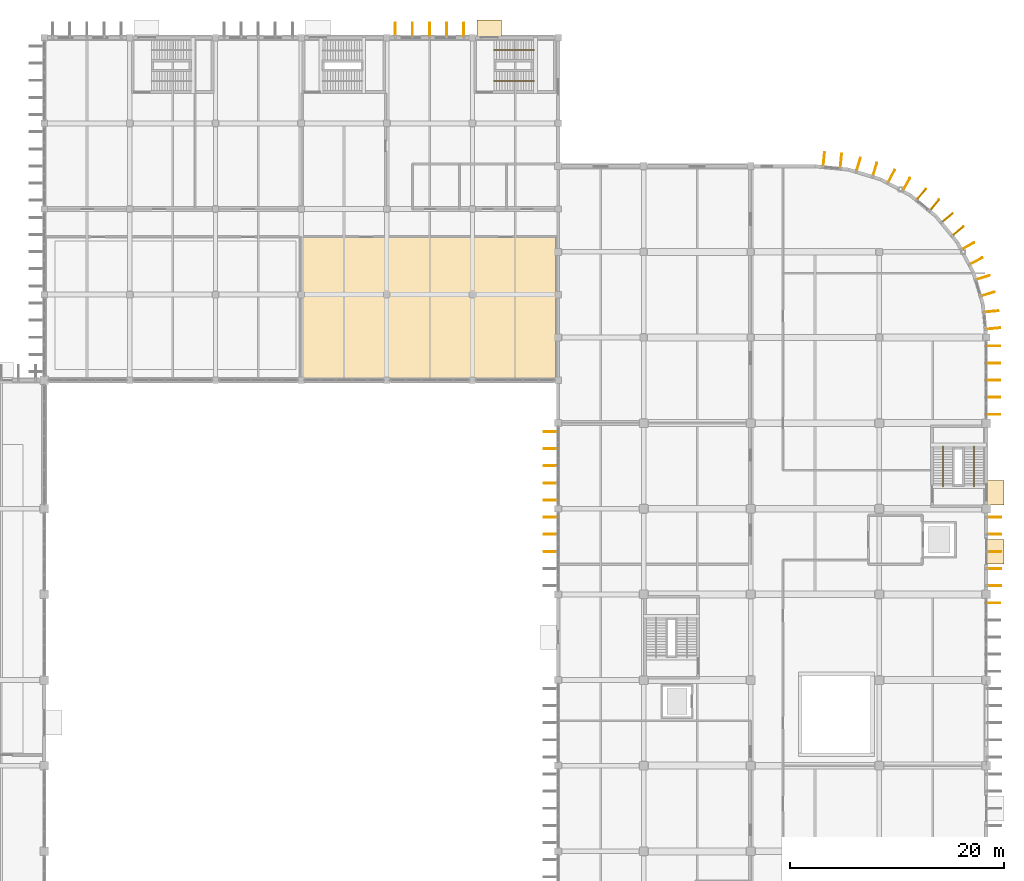
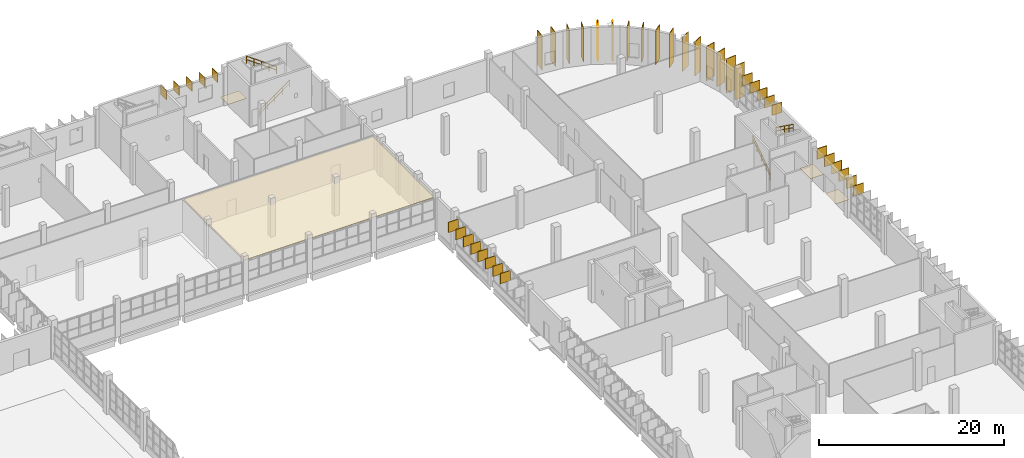
# One storey, part 102 of 103: 44 coverings, 40 shading devices, 4 railings.
"""IFC4 building model written with IfcOpenShell, lengths in metres."""

from ifc_helpers import new_model, si_unit, direction, frame, origin, origin_2d, place, context, subcontext, project, spatial, polyline, rectangle, circle, outline, extrude, material, layer, layer_set, type_object, element, save


model = new_model("IFC4")

# Units and contexts
model_context = context("Model", 3, precision=1e-05, world=origin(), true_north=direction((0.0, 1.0)))
body_context = subcontext(model_context, "Body", "Model", "MODEL_VIEW")
ifc_project = project(units=[si_unit("LENGTHUNIT", "METRE"), si_unit("AREAUNIT", "SQUARE_METRE"), si_unit("VOLUMEUNIT", "CUBIC_METRE"), si_unit("PLANEANGLEUNIT", "RADIAN"), si_unit("MASSUNIT", "GRAM", prefix="KILO")], contexts=[model_context])

# Site, building, storey
site_placement = place(None, origin())
site = spatial("IfcSite", under=ifc_project, at=site_placement, CompositionType="ELEMENT")
building_placement = place(site_placement, origin())
building = spatial("IfcBuilding", under=site, at=building_placement, Name="Drelvana Railside Aquatics Centre", CompositionType="ELEMENT")
storey_placement = place(building_placement, origin())
storey = spatial("IfcBuildingStorey", under=building, at=storey_placement, Name="L00", CompositionType="ELEMENT", Elevation=0.0)

# Coverings
ifc_material_1 = material(Name="Moisture-resistant perforated acoustic timber ceiling", Category="wood")
ifc_layer_1 = layer(ifc_material_1, 0.034912109375, Name="Moisture-resistant perforated acoustic timber ceiling")
ifc_layer_set_1 = layer_set([ifc_layer_1], Name="Moisture-resistant perforated acoustic timber ceiling")
covering_type_1 = type_object("IfcCoveringType", Name="COV-CEIL-ACOUSTIC", PredefinedType="CEILING", material=ifc_layer_set_1)
covering_1_placement = place(storey_placement, frame((0.0, 0.0, 4.199951171875)))
element("IfcCovering", 1, at=covering_1_placement, inside=storey, type_object=covering_type_1, Name="Team Changing moisture-resistant ceiling", PredefinedType="CEILING", context=body_context, shape_type="SweptSolid", body=[
    extrude(outline(polyline([(120.0, 84.199951171875), (143.800048828125, 84.199951171875), (143.800048828125, 97.39990234375), (120.0, 97.39990234375), (120.0, 84.199951171875)])), origin(), (0.0, 0.0, 1.0), 0.03515625),
])
ifc_material_2 = material(Name="Catalan trencadis polychrome ceramic mosaic cladding", Category="masonry")
ifc_layer_2 = layer(ifc_material_2, 0.044921875, Name="Catalan trencadis polychrome ceramic mosaic cladding")
ifc_layer_set_2 = layer_set([ifc_layer_2], Name="Catalan trencadis polychrome ceramic mosaic cladding")
covering_type_2 = type_object("IfcCoveringType", Name="COV-CLAD-TRENCADIS", PredefinedType="CLADDING", material=ifc_layer_set_2)
covering_2_placement = place(storey_placement, frame((0.0, 0.0, -0.2548828125)))
element("IfcCovering", 2, at=covering_2_placement, inside=storey, type_object=covering_type_2, Name="Threshold apron bedding trim 017", PredefinedType="CLADDING", context=body_context, shape_type="SweptSolid", body=[
    extrude(outline(polyline([(136.425048828125, 116.0048828125), (138.72509765625, 116.0048828125), (138.72509765625, 117.655029296875), (136.425048828125, 117.655029296875), (136.425048828125, 116.0048828125)])), origin(), (0.0, 0.0, 1.0), 0.044921875),
])
covering_3_placement = place(storey_placement, frame((0.0, 0.0, -0.2548828125)))
element("IfcCovering", 3, at=covering_3_placement, inside=storey, type_object=covering_type_2, Name="Threshold apron bedding trim 025", PredefinedType="CLADDING", context=body_context, shape_type="SweptSolid", body=[
    extrude(outline(polyline([(184.0048828125, 66.85009765625), (185.655029296875, 66.85009765625), (185.655029296875, 69.14990234375), (184.0048828125, 69.14990234375), (184.0048828125, 66.85009765625)])), origin(), (0.0, 0.0, 1.0), 0.044921875),
])
covering_4_placement = place(storey_placement, frame((0.0, 0.0, -0.2548828125)))
element("IfcCovering", 4, at=covering_4_placement, inside=storey, type_object=covering_type_2, Name="Threshold apron bedding trim 026", PredefinedType="CLADDING", context=body_context, shape_type="SweptSolid", body=[
    extrude(outline(polyline([(184.0048828125, 72.35498046875), (185.655029296875, 72.35498046875), (185.655029296875, 74.655029296875), (184.0048828125, 74.655029296875), (184.0048828125, 72.35498046875)])), origin(), (0.0, 0.0, 1.0), 0.044921875),
])
ifc_material_3 = material(Name="Bronze-anodised extruded aluminium 6063-T6", Category="aluminium")
covering_type_3 = type_object("IfcCoveringType", Name="COV-FIN-ALU", PredefinedType="CLADDING", material=ifc_material_3)
for number, where, z_axis, x_axis, name in (
    (5, (128.800048828125, 116.7451171875, 3.0), (0.0, 0.0, 1.0), (1.0, 0.0, 0.0), "Vertical aluminium fin cladding CF-0486"),
    (6, (130.39990234375, 116.7451171875, 3.0), (0.0, 0.0, 1.0), (1.0, 0.0, 0.0), "Vertical aluminium fin cladding CF-0487"),
    (7, (132.0, 116.7451171875, 3.0), (0.0, 0.0, 1.0), (1.0, 0.0, 0.0), "Vertical aluminium fin cladding CF-0488"),
    (8, (133.60009765625, 116.7451171875, 3.0), (0.0, 0.0, 1.0), (1.0, 0.0, 0.0), "Vertical aluminium fin cladding CF-0489"),
    (9, (135.199951171875, 116.7451171875, 3.0), (0.0, 0.0, 1.0), (1.0, 0.0, 0.0), "Vertical aluminium fin cladding CF-0490"),
):
    element("IfcCovering", number, at=place(storey_placement, frame(where, z_axis=z_axis, x_axis=x_axis)), inside=storey, type_object=covering_type_3, Name=name, PredefinedType="CLADDING", context=body_context, shape_type="SweptSolid", body=[
        extrude(rectangle(XDim=0.0849609375, YDim=1.25, at=origin_2d()), origin(), (0.0, 0.0, 1.0), 1.199951171875),
    ])
for number, where, z_axis, x_axis, name in (
    (10, (143.330078125, 68.0, 3.0), (0.0, 0.0, 1.0), (0.0, 1.0, 0.0), "Vertical aluminium fin cladding CF-0638"),
    (11, (143.330078125, 69.60009765625, 3.0), (0.0, 0.0, 1.0), (0.0, 1.0, 0.0), "Vertical aluminium fin cladding CF-0639"),
    (12, (143.330078125, 71.199951171875, 3.0), (0.0, 0.0, 1.0), (0.0, 1.0, 0.0), "Vertical aluminium fin cladding CF-0640"),
    (13, (143.330078125, 72.800048828125, 3.0), (0.0, 0.0, 1.0), (0.0, 1.0, 0.0), "Vertical aluminium fin cladding CF-0656"),
    (14, (143.330078125, 74.39990234375, 3.0), (0.0, 0.0, 1.0), (0.0, 1.0, 0.0), "Vertical aluminium fin cladding CF-0657"),
    (15, (143.330078125, 76.0, 3.0), (0.0, 0.0, 1.0), (0.0, 1.0, 0.0), "Vertical aluminium fin cladding CF-0658"),
    (16, (143.330078125, 77.60009765625, 3.0), (0.0, 0.0, 1.0), (0.0, 1.0, 0.0), "Vertical aluminium fin cladding CF-0659"),
    (17, (143.330078125, 79.199951171875, 3.0), (0.0, 0.0, 1.0), (0.0, 1.0, 0.0), "Vertical aluminium fin cladding CF-0660"),
    (18, (184.669921875, 63.199951171875, 3.0), (0.0, 0.0, 1.0), (0.0, -1.0, 0.0), "Vertical aluminium fin cladding CF-0755"),
):
    element("IfcCovering", number, at=place(storey_placement, frame(where, z_axis=z_axis, x_axis=x_axis)), inside=storey, type_object=covering_type_3, Name=name, PredefinedType="CLADDING", context=body_context, shape_type="SweptSolid", body=[
        extrude(rectangle(XDim=0.0849609375, YDim=1.25, at=origin_2d()), origin(), (0.0, 0.0, 1.0), 1.35009765625),
    ])
for number, where, z_axis, x_axis, name in (
    (19, (184.7451171875, 64.800048828125, 3.0), (0.0, 0.0, 1.0), (0.0, -1.0, 0.0), "Vertical aluminium fin cladding CF-0776"),
    (20, (184.7451171875, 66.39990234375, 3.0), (0.0, 0.0, 1.0), (0.0, -1.0, 0.0), "Vertical aluminium fin cladding CF-0777"),
    (21, (184.7451171875, 68.0, 3.0), (0.0, 0.0, 1.0), (0.0, -1.0, 0.0), "Vertical aluminium fin cladding CF-0778"),
    (22, (184.7451171875, 69.60009765625, 3.0), (0.0, 0.0, 1.0), (0.0, -1.0, 0.0), "Vertical aluminium fin cladding CF-0779"),
    (23, (184.7451171875, 71.199951171875, 3.0), (0.0, 0.0, 1.0), (0.0, -1.0, 0.0), "Vertical aluminium fin cladding CF-0780"),
):
    element("IfcCovering", number, at=place(storey_placement, frame(where, z_axis=z_axis, x_axis=x_axis)), inside=storey, type_object=covering_type_3, Name=name, PredefinedType="CLADDING", context=body_context, shape_type="SweptSolid", body=[
        extrude(rectangle(XDim=0.0849609375, YDim=1.25, at=origin_2d()), origin(), (0.0, 0.0, 1.0), 1.39990234375),
    ])
for number, where, z_axis, x_axis, name in (
    (24, (184.669921875, 80.800048828125, 3.0), (0.0, 0.0, 1.0), (0.0, -1.0, 0.0), "Vertical aluminium fin cladding CF-0801"),
    (25, (184.669921875, 82.39990234375, 3.0), (0.0, 0.0, 1.0), (0.0, -1.0, 0.0), "Vertical aluminium fin cladding CF-0802"),
    (26, (184.669921875, 84.0, 3.0), (0.0, 0.0, 1.0), (0.0, -1.0, 0.0), "Vertical aluminium fin cladding CF-0803"),
    (27, (184.669921875, 85.60009765625, 3.0), (0.0, 0.0, 1.0), (0.0, -1.0, 0.0), "Vertical aluminium fin cladding CF-0804"),
    (28, (184.669921875, 87.199951171875, 3.0), (0.0, 0.0, 1.0), (0.0, -1.0, 0.0), "Vertical aluminium fin cladding CF-0805"),
):
    element("IfcCovering", number, at=place(storey_placement, frame(where, z_axis=z_axis, x_axis=x_axis)), inside=storey, type_object=covering_type_3, Name=name, PredefinedType="CLADDING", context=body_context, shape_type="SweptSolid", body=[
        extrude(rectangle(XDim=0.0849609375, YDim=1.25, at=origin_2d()), origin(), (0.0, 0.0, 1.0), 1.35009765625),
    ])
for number, where, z_axis, x_axis, name in (
    (29, (184.65625, 88.836669921875, 0.25), (0.0, 0.0, 1.0), (0.09801714033, -0.995184726672, 0.0), "Vertical aluminium fin cladding CF-0869"),
    (30, (184.499267578125, 90.428955078125, 0.25), (0.0, 0.0, 1.0), (0.09801714033, -0.995184726672, 0.0), "Vertical aluminium fin cladding CF-0870"),
    (31, (184.1728515625, 92.070068359375, 0.25), (0.0, 0.0, 1.0), (0.290284677254, -0.956940335732, 0.0), "Vertical aluminium fin cladding CF-0873"),
    (32, (183.70849609375, 93.60107421875, 0.25), (0.0, 0.0, 1.0), (0.290284677254, -0.956940335732, 0.0), "Vertical aluminium fin cladding CF-0874"),
    (33, (183.068115234375, 95.14697265625, 0.25), (0.0, 0.0, 1.0), (0.471396736826, -0.881921264348, 0.0), "Vertical aluminium fin cladding CF-0877"),
    (34, (182.31396484375, 96.55810546875, 0.25), (0.0, 0.0, 1.0), (0.471396736826, -0.881921264348, 0.0), "Vertical aluminium fin cladding CF-0878"),
    (35, (181.38427734375, 97.94921875, 0.25), (0.0, 0.0, 1.0), (0.634393284164, -0.773010453363, 0.0), "Vertical aluminium fin cladding CF-0881"),
    (36, (180.369384765625, 99.18603515625, 0.25), (0.0, 0.0, 1.0), (0.634393284164, -0.773010453363, 0.0), "Vertical aluminium fin cladding CF-0882"),
    (37, (179.18603515625, 100.369384765625, 0.25), (0.0, 0.0, 1.0), (0.773010453363, -0.634393284164, 0.0), "Vertical aluminium fin cladding CF-0885"),
    (38, (177.94921875, 101.38427734375, 0.25), (0.0, 0.0, 1.0), (0.773010453363, -0.634393284164, 0.0), "Vertical aluminium fin cladding CF-0886"),
    (39, (176.55810546875, 102.31396484375, 0.25), (0.0, 0.0, 1.0), (0.881921264348, -0.471396736826, 0.0), "Vertical aluminium fin cladding CF-0889"),
    (40, (175.14697265625, 103.068115234375, 0.25), (0.0, 0.0, 1.0), (0.881921264348, -0.471396736826, 0.0), "Vertical aluminium fin cladding CF-0890"),
    (41, (173.60107421875, 103.70849609375, 0.25), (0.0, 0.0, 1.0), (0.956940335732, -0.290284677254, 0.0), "Vertical aluminium fin cladding CF-0893"),
    (42, (172.070068359375, 104.1728515625, 0.25), (0.0, 0.0, 1.0), (0.956940335732, -0.290284677254, 0.0), "Vertical aluminium fin cladding CF-0894"),
    (43, (170.428955078125, 104.499267578125, 0.25), (0.0, 0.0, 1.0), (0.995184726672, -0.09801714033, 0.0), "Vertical aluminium fin cladding CF-0897"),
    (44, (168.836669921875, 104.65625, 0.25), (0.0, 0.0, 1.0), (0.995184726672, -0.09801714033, 0.0), "Vertical aluminium fin cladding CF-0898"),
):
    element("IfcCovering", number, at=place(storey_placement, frame(where, z_axis=z_axis, x_axis=x_axis)), inside=storey, type_object=covering_type_3, Name=name, PredefinedType="CLADDING", context=body_context, shape_type="SweptSolid", body=[
        extrude(rectangle(XDim=0.0849609375, YDim=1.25, at=origin_2d()), origin(), (0.0, 0.0, 1.0), 4.5),
    ])

# Railings
ifc_material_4 = material(Name="Brushed stainless steel stair pitch handrail", Category="steel")
railing_type = type_object("IfcRailingType", Name="RAL-HANDRAIL-950", PredefinedType="HANDRAIL", material=ifc_material_4)
railing_1_placement = place(storey_placement, frame((179.949951171875, 74.090087890625, 0.0)))
element("IfcRailing", 45, at=railing_1_placement, inside=storey, type_object=railing_type, Name="Stair ST-07 flight 1 handrail (L00)", PredefinedType="HANDRAIL", context=body_context, shape_type="SweptSolid", body=[
    extrude(circle(Radius=0.02392578125, at=origin_2d()), frame((0.0, 0.0, 0.92578125), z_axis=(0.0, 0.811539352079, 0.584297766578), x_axis=(-1.0, 0.0, 0.0)), (0.0, 0.0, 1.0), 4.620849609375),
    extrude(circle(Radius=0.02392578125, at=origin_2d()), frame((0.0, 0.0, 0.47509765625), z_axis=(0.0, 0.811539352079, 0.584297766578), x_axis=(-1.0, 0.0, 0.0)), (0.0, 0.0, 1.0), 4.620849609375),
    extrude(circle(Radius=0.02099609375, at=origin_2d()), origin(), (0.0, 0.0, 1.0), 0.90185546875),
    extrude(circle(Radius=0.02099609375, at=origin_2d()), frame((0.0, 0.9375, 0.675048828125)), (0.0, 0.0, 1.0), 0.90185546875),
    extrude(circle(Radius=0.02099609375, at=origin_2d()), frame((0.0, 1.875, 1.35009765625)), (0.0, 0.0, 1.0), 0.90185546875),
    extrude(circle(Radius=0.02099609375, at=origin_2d()), frame((0.0, 2.8125, 2.02490234375)), (0.0, 0.0, 1.0), 0.90185546875),
    extrude(circle(Radius=0.02099609375, at=origin_2d()), frame((0.0, 3.75, 2.699951171875)), (0.0, 0.0, 1.0), 0.90185546875),
])
railing_2_placement = place(storey_placement, frame((182.85009765625, 77.840087890625, 2.699951171875)))
element("IfcRailing", 46, at=railing_2_placement, inside=storey, type_object=railing_type, Name="Stair ST-07 flight 2 handrail (L00)", PredefinedType="HANDRAIL", context=body_context, shape_type="SweptSolid", body=[
    extrude(circle(Radius=0.02392578125, at=origin_2d()), frame((0.0, 0.0, 0.92578125), z_axis=(0.0, -0.811539352079, 0.584297766578), x_axis=(1.0, 0.0, 0.0)), (0.0, 0.0, 1.0), 4.620849609375),
    extrude(circle(Radius=0.02392578125, at=origin_2d()), frame((0.0, 0.0, 0.47509765625), z_axis=(0.0, -0.811539352079, 0.584297766578), x_axis=(1.0, 0.0, 0.0)), (0.0, 0.0, 1.0), 4.620849609375),
    extrude(circle(Radius=0.02099609375, at=origin_2d()), origin(), (0.0, 0.0, 1.0), 0.90185546875),
    extrude(circle(Radius=0.02099609375, at=origin_2d()), frame((0.0, -0.9375, 0.675048828125)), (0.0, 0.0, 1.0), 0.90185546875),
    extrude(circle(Radius=0.02099609375, at=origin_2d()), frame((0.0, -1.875, 1.35009765625)), (0.0, 0.0, 1.0), 0.90185546875),
    extrude(circle(Radius=0.02099609375, at=origin_2d()), frame((0.0, -2.8125, 2.02490234375)), (0.0, 0.0, 1.0), 0.90185546875),
    extrude(circle(Radius=0.02099609375, at=origin_2d()), frame((0.0, -3.75, 2.699951171875)), (0.0, 0.0, 1.0), 0.90185546875),
])
railing_3_placement = place(storey_placement, frame((138.02001953125, 111.949951171875, 0.0)))
element("IfcRailing", 47, at=railing_3_placement, inside=storey, type_object=railing_type, Name="Stair ST-12 flight 1 handrail (L00)", PredefinedType="HANDRAIL", context=body_context, shape_type="SweptSolid", body=[
    extrude(circle(Radius=0.02392578125, at=origin_2d()), frame((0.0, 0.0, 0.92578125), z_axis=(0.811539352079, 0.0, 0.584297766578), x_axis=(0.0, 1.0, 0.0)), (0.0, 0.0, 1.0), 4.620849609375),
    extrude(circle(Radius=0.02392578125, at=origin_2d()), frame((0.0, 0.0, 0.47509765625), z_axis=(0.811539352079, 0.0, 0.584297766578), x_axis=(0.0, 1.0, 0.0)), (0.0, 0.0, 1.0), 4.620849609375),
    extrude(circle(Radius=0.02099609375, at=origin_2d()), origin(), (0.0, 0.0, 1.0), 0.90185546875),
    extrude(circle(Radius=0.02099609375, at=origin_2d()), frame((0.9375, 0.0, 0.675048828125)), (0.0, 0.0, 1.0), 0.90185546875),
    extrude(circle(Radius=0.02099609375, at=origin_2d()), frame((1.875, 0.0, 1.35009765625)), (0.0, 0.0, 1.0), 0.90185546875),
    extrude(circle(Radius=0.02099609375, at=origin_2d()), frame((2.8125, 0.0, 2.02490234375)), (0.0, 0.0, 1.0), 0.90185546875),
    extrude(circle(Radius=0.02099609375, at=origin_2d()), frame((3.75, 0.0, 2.699951171875)), (0.0, 0.0, 1.0), 0.90185546875),
])
railing_4_placement = place(storey_placement, frame((141.77001953125, 114.85009765625, 2.699951171875)))
element("IfcRailing", 48, at=railing_4_placement, inside=storey, type_object=railing_type, Name="Stair ST-12 flight 2 handrail (L00)", PredefinedType="HANDRAIL", context=body_context, shape_type="SweptSolid", body=[
    extrude(circle(Radius=0.02392578125, at=origin_2d()), frame((0.0, 0.0, 0.92578125), z_axis=(-0.811539352079, 0.0, 0.584297766578), x_axis=(0.0, -1.0, 0.0)), (0.0, 0.0, 1.0), 4.620849609375),
    extrude(circle(Radius=0.02392578125, at=origin_2d()), frame((0.0, 0.0, 0.47509765625), z_axis=(-0.811539352079, 0.0, 0.584297766578), x_axis=(0.0, -1.0, 0.0)), (0.0, 0.0, 1.0), 4.620849609375),
    extrude(circle(Radius=0.02099609375, at=origin_2d()), origin(), (0.0, 0.0, 1.0), 0.90185546875),
    extrude(circle(Radius=0.02099609375, at=origin_2d()), frame((-0.9375, 0.0, 0.675048828125)), (0.0, 0.0, 1.0), 0.90185546875),
    extrude(circle(Radius=0.02099609375, at=origin_2d()), frame((-1.875, 0.0, 1.35009765625)), (0.0, 0.0, 1.0), 0.90185546875),
    extrude(circle(Radius=0.02099609375, at=origin_2d()), frame((-2.8125, 0.0, 2.02490234375)), (0.0, 0.0, 1.0), 0.90185546875),
    extrude(circle(Radius=0.02099609375, at=origin_2d()), frame((-3.75, 0.0, 2.699951171875)), (0.0, 0.0, 1.0), 0.90185546875),
])

# Shading devices
shading_device_type = type_object("IfcShadingDeviceType", Name="SHD-FIN-1250", PredefinedType="USERDEFINED", material=ifc_material_3)
for number, where, z_axis, x_axis, name in (
    (49, (128.800048828125, 116.764892578125, 3.0), (0.0, 0.0, 1.0), (0.0, 1.0, 0.0), "Vertical bronze shading fin FN-0493"),
    (50, (130.39990234375, 116.764892578125, 3.0), (0.0, 0.0, 1.0), (0.0, 1.0, 0.0), "Vertical bronze shading fin FN-0494"),
    (51, (132.0, 116.764892578125, 3.0), (0.0, 0.0, 1.0), (0.0, 1.0, 0.0), "Vertical bronze shading fin FN-0495"),
    (52, (133.60009765625, 116.764892578125, 3.0), (0.0, 0.0, 1.0), (0.0, 1.0, 0.0), "Vertical bronze shading fin FN-0496"),
    (53, (135.199951171875, 116.764892578125, 3.0), (0.0, 0.0, 1.0), (0.0, 1.0, 0.0), "Vertical bronze shading fin FN-0497"),
):
    element("IfcShadingDevice", number, at=place(storey_placement, frame(where, z_axis=z_axis, x_axis=x_axis)), inside=storey, type_object=shading_device_type, Name=name, ObjectType="FIN", PredefinedType="USERDEFINED", context=body_context, shape_type="SweptSolid", body=[
        extrude(rectangle(XDim=1.25, YDim=0.06494140625, at=origin_2d()), origin(), (0.0, 0.0, 1.0), 1.199951171875),
    ])
for number, where, z_axis, x_axis, name in (
    (54, (143.31005859375, 68.0, 3.0), (0.0, 0.0, 1.0), (-1.0, 0.0, 0.0), "Vertical bronze shading fin FN-0645"),
    (55, (143.31005859375, 69.60009765625, 3.0), (0.0, 0.0, 1.0), (-1.0, 0.0, 0.0), "Vertical bronze shading fin FN-0646"),
    (56, (143.31005859375, 71.199951171875, 3.0), (0.0, 0.0, 1.0), (-1.0, 0.0, 0.0), "Vertical bronze shading fin FN-0647"),
    (57, (143.31005859375, 72.800048828125, 3.0), (0.0, 0.0, 1.0), (-1.0, 0.0, 0.0), "Vertical bronze shading fin FN-0663"),
    (58, (143.31005859375, 74.39990234375, 3.0), (0.0, 0.0, 1.0), (-1.0, 0.0, 0.0), "Vertical bronze shading fin FN-0664"),
    (59, (143.31005859375, 76.0, 3.0), (0.0, 0.0, 1.0), (-1.0, 0.0, 0.0), "Vertical bronze shading fin FN-0665"),
    (60, (143.31005859375, 77.60009765625, 3.0), (0.0, 0.0, 1.0), (-1.0, 0.0, 0.0), "Vertical bronze shading fin FN-0666"),
    (61, (143.31005859375, 79.199951171875, 3.0), (0.0, 0.0, 1.0), (-1.0, 0.0, 0.0), "Vertical bronze shading fin FN-0667"),
    (62, (184.68994140625, 63.199951171875, 3.0), (0.0, 0.0, 1.0), (1.0, 0.0, 0.0), "Vertical bronze shading fin FN-0762"),
):
    element("IfcShadingDevice", number, at=place(storey_placement, frame(where, z_axis=z_axis, x_axis=x_axis)), inside=storey, type_object=shading_device_type, Name=name, ObjectType="FIN", PredefinedType="USERDEFINED", context=body_context, shape_type="SweptSolid", body=[
        extrude(rectangle(XDim=1.25, YDim=0.06494140625, at=origin_2d()), origin(), (0.0, 0.0, 1.0), 1.35009765625),
    ])
for number, where, z_axis, x_axis, name in (
    (63, (184.764892578125, 64.800048828125, 3.0), (0.0, 0.0, 1.0), (1.0, 0.0, 0.0), "Vertical bronze shading fin FN-0783"),
    (64, (184.764892578125, 66.39990234375, 3.0), (0.0, 0.0, 1.0), (1.0, 0.0, 0.0), "Vertical bronze shading fin FN-0784"),
    (65, (184.764892578125, 68.0, 3.0), (0.0, 0.0, 1.0), (1.0, 0.0, 0.0), "Vertical bronze shading fin FN-0785"),
    (66, (184.764892578125, 69.60009765625, 3.0), (0.0, 0.0, 1.0), (1.0, 0.0, 0.0), "Vertical bronze shading fin FN-0786"),
    (67, (184.764892578125, 71.199951171875, 3.0), (0.0, 0.0, 1.0), (1.0, 0.0, 0.0), "Vertical bronze shading fin FN-0787"),
):
    element("IfcShadingDevice", number, at=place(storey_placement, frame(where, z_axis=z_axis, x_axis=x_axis)), inside=storey, type_object=shading_device_type, Name=name, ObjectType="FIN", PredefinedType="USERDEFINED", context=body_context, shape_type="SweptSolid", body=[
        extrude(rectangle(XDim=1.25, YDim=0.06494140625, at=origin_2d()), origin(), (0.0, 0.0, 1.0), 1.39990234375),
    ])
for number, where, z_axis, x_axis, name in (
    (68, (184.68994140625, 80.800048828125, 3.0), (0.0, 0.0, 1.0), (1.0, 0.0, 0.0), "Vertical bronze shading fin FN-0808"),
    (69, (184.68994140625, 82.39990234375, 3.0), (0.0, 0.0, 1.0), (1.0, 0.0, 0.0), "Vertical bronze shading fin FN-0809"),
    (70, (184.68994140625, 84.0, 3.0), (0.0, 0.0, 1.0), (1.0, 0.0, 0.0), "Vertical bronze shading fin FN-0810"),
    (71, (184.68994140625, 85.60009765625, 3.0), (0.0, 0.0, 1.0), (1.0, 0.0, 0.0), "Vertical bronze shading fin FN-0811"),
    (72, (184.68994140625, 87.199951171875, 3.0), (0.0, 0.0, 1.0), (1.0, 0.0, 0.0), "Vertical bronze shading fin FN-0812"),
):
    element("IfcShadingDevice", number, at=place(storey_placement, frame(where, z_axis=z_axis, x_axis=x_axis)), inside=storey, type_object=shading_device_type, Name=name, ObjectType="FIN", PredefinedType="USERDEFINED", context=body_context, shape_type="SweptSolid", body=[
        extrude(rectangle(XDim=1.25, YDim=0.06494140625, at=origin_2d()), origin(), (0.0, 0.0, 1.0), 1.35009765625),
    ])
for number, where, z_axis, x_axis, name in (
    (73, (184.676025390625, 88.838623046875, 0.25), (0.0, 0.0, 1.0), (0.995184726672, 0.09801714033, 0.0), "Vertical bronze shading fin FN-0876"),
    (74, (184.519287109375, 90.430908203125, 0.25), (0.0, 0.0, 1.0), (0.995184726672, 0.09801714033, 0.0), "Vertical bronze shading fin FN-0877"),
    (75, (184.19189453125, 92.07568359375, 0.25), (0.0, 0.0, 1.0), (0.956940335732, 0.290284677254, 0.0), "Vertical bronze shading fin FN-0880"),
    (76, (183.7275390625, 93.60693359375, 0.25), (0.0, 0.0, 1.0), (0.956940335732, 0.290284677254, 0.0), "Vertical bronze shading fin FN-0881"),
    (77, (183.085693359375, 95.156494140625, 0.25), (0.0, 0.0, 1.0), (0.881921264348, 0.471396736826, 0.0), "Vertical bronze shading fin FN-0884"),
    (78, (182.33154296875, 96.5673828125, 0.25), (0.0, 0.0, 1.0), (0.881921264348, 0.471396736826, 0.0), "Vertical bronze shading fin FN-0885"),
    (79, (181.399658203125, 97.9619140625, 0.25), (0.0, 0.0, 1.0), (0.773010453363, 0.634393284164, 0.0), "Vertical bronze shading fin FN-0888"),
    (80, (180.384765625, 99.19873046875, 0.25), (0.0, 0.0, 1.0), (0.773010453363, 0.634393284164, 0.0), "Vertical bronze shading fin FN-0889"),
    (81, (179.19873046875, 100.384765625, 0.25), (0.0, 0.0, 1.0), (0.634393284164, 0.773010453363, 0.0), "Vertical bronze shading fin FN-0892"),
    (82, (177.9619140625, 101.399658203125, 0.25), (0.0, 0.0, 1.0), (0.634393284164, 0.773010453363, 0.0), "Vertical bronze shading fin FN-0893"),
    (83, (176.5673828125, 102.33154296875, 0.25), (0.0, 0.0, 1.0), (0.471396736826, 0.881921264348, 0.0), "Vertical bronze shading fin FN-0896"),
    (84, (175.156494140625, 103.085693359375, 0.25), (0.0, 0.0, 1.0), (0.471396736826, 0.881921264348, 0.0), "Vertical bronze shading fin FN-0897"),
    (85, (173.60693359375, 103.7275390625, 0.25), (0.0, 0.0, 1.0), (0.290284677254, 0.956940335732, 0.0), "Vertical bronze shading fin FN-0900"),
    (86, (172.07568359375, 104.19189453125, 0.25), (0.0, 0.0, 1.0), (0.290284677254, 0.956940335732, 0.0), "Vertical bronze shading fin FN-0901"),
    (87, (170.430908203125, 104.519287109375, 0.25), (0.0, 0.0, 1.0), (0.09801714033, 0.995184726672, 0.0), "Vertical bronze shading fin FN-0904"),
    (88, (168.838623046875, 104.676025390625, 0.25), (0.0, 0.0, 1.0), (0.09801714033, 0.995184726672, 0.0), "Vertical bronze shading fin FN-0905"),
):
    element("IfcShadingDevice", number, at=place(storey_placement, frame(where, z_axis=z_axis, x_axis=x_axis)), inside=storey, type_object=shading_device_type, Name=name, ObjectType="FIN", PredefinedType="USERDEFINED", context=body_context, shape_type="SweptSolid", body=[
        extrude(rectangle(XDim=1.25, YDim=0.06494140625, at=origin_2d()), origin(), (0.0, 0.0, 1.0), 4.5),
    ])

save(model, "model.ifc")
